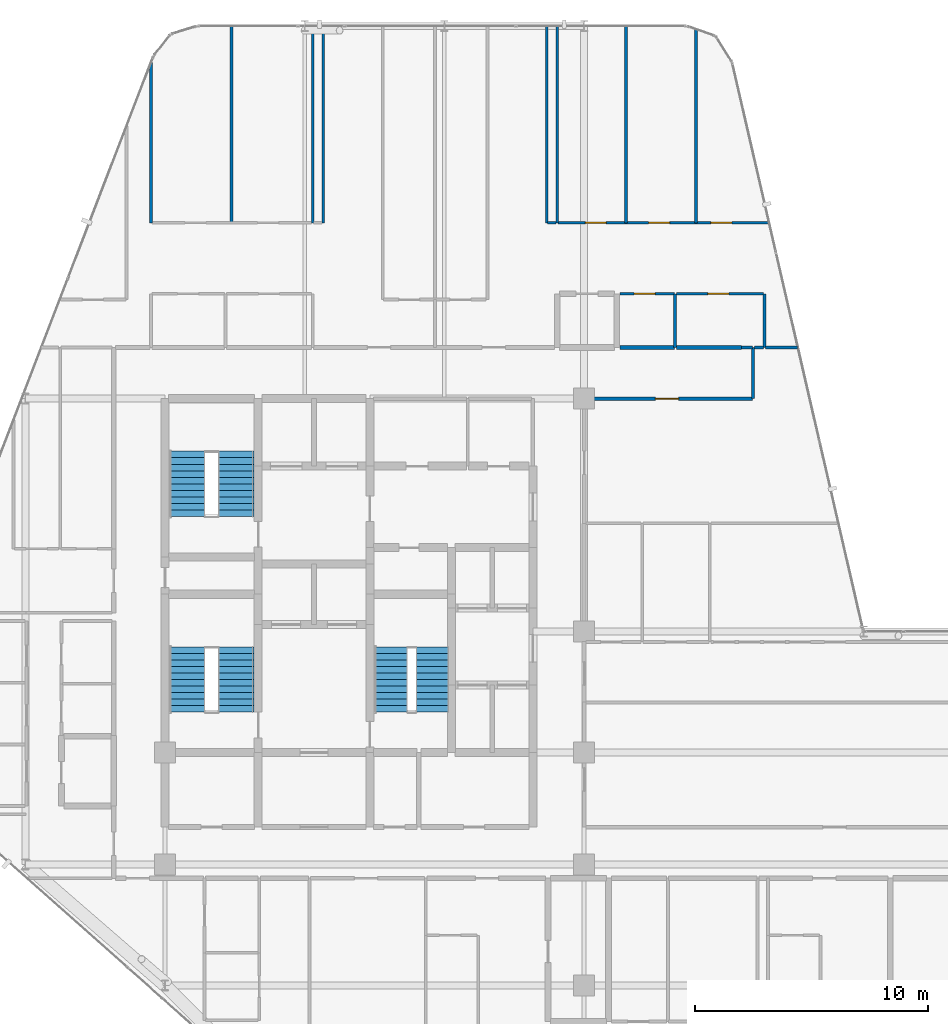
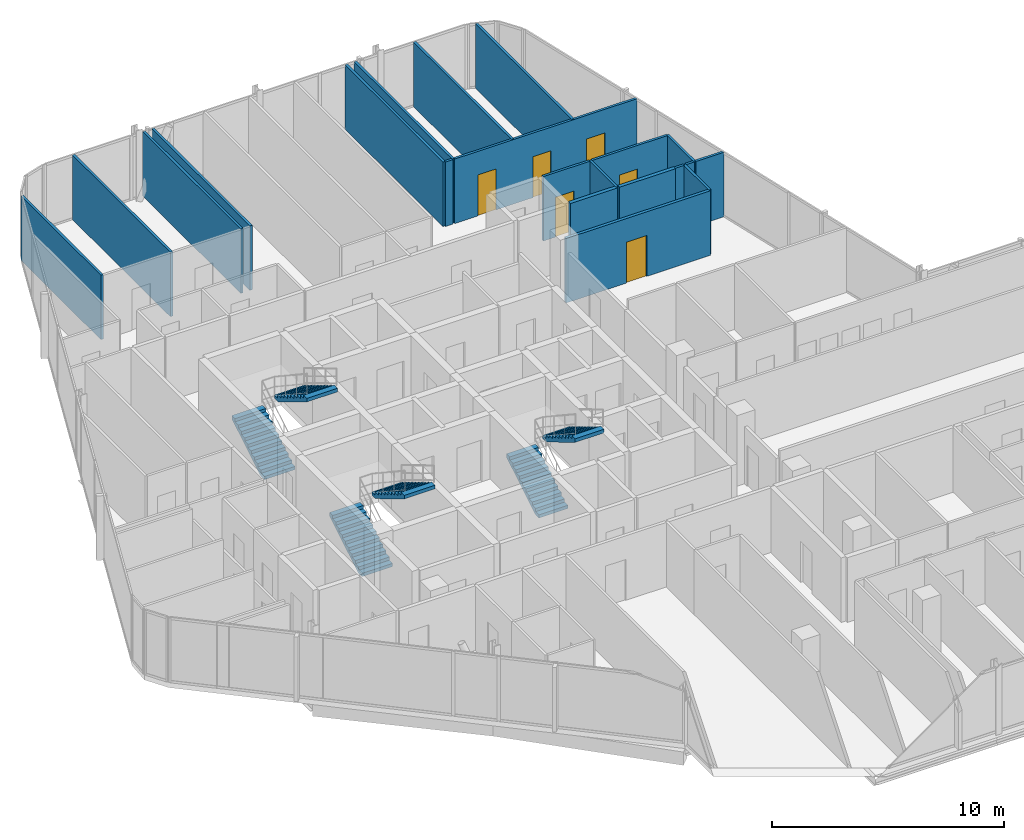
# One storey, part 28 of 29: 21 walls, 6 doors, 6 stair flights, 6 openings, 3 elements without a shape of their own.
"""IFC4 building model written with IfcOpenShell, lengths in metres."""

from ifc_helpers import new_model, si_unit, direction, frame, frame_2d, origin, place, context, subcontext, project, spatial, polyline, rectangle, outline, extrude, material, layer, layer_set, type_object, element, fill, aggregate, save


model = new_model("IFC4")

# Units and contexts
model_context = context("Model", 3, precision=1e-05, world=origin(), true_north=direction((0.0, 1.0)))
body_context = subcontext(model_context, "Body", "Model", "MODEL_VIEW")
ifc_project = project(units=[si_unit("LENGTHUNIT", "METRE"), si_unit("AREAUNIT", "SQUARE_METRE"), si_unit("VOLUMEUNIT", "CUBIC_METRE"), si_unit("PLANEANGLEUNIT", "RADIAN"), si_unit("MASSUNIT", "GRAM", prefix="KILO")], contexts=[model_context])

# Site, building, storey
site_placement = place(None, origin())
site = spatial("IfcSite", under=ifc_project, at=site_placement, CompositionType="ELEMENT")
building_placement = place(site_placement, origin())
building = spatial("IfcBuilding", under=site, at=building_placement, Name="Keshet Zoharim Tower", CompositionType="ELEMENT")
storey_placement = place(building_placement, frame((0.0, 0.0, 188.39990234375)))
storey = spatial("IfcBuildingStorey", under=building, at=storey_placement, Name="L46", CompositionType="ELEMENT", Elevation=188.39990234375)

# Wall, opening, door
ifc_material_1 = material(Name="Gypsum Plasterboard", Category="gypsum")
ifc_layer_1 = layer(ifc_material_1, 0.14990234375)
ifc_layer_set_1 = layer_set([ifc_layer_1], Name="Gypsum Plasterboard")
wall_type_1 = type_object("IfcWallType", Name="WL-CLIN-150", PredefinedType="STANDARD", material=ifc_layer_set_1)
wall_1_placement = place(storey_placement, frame((33.06005859375, 37.89990234375, 0.0), z_axis=(0.0, 0.0, 1.0), x_axis=(1.0, 0.0, 0.0)))
wall_1 = element("IfcWall", 1, at=wall_1_placement, inside=storey, type_object=wall_type_1, Name="L46 Interior Wall 179", PredefinedType="STANDARD", context=body_context, shape_type="SweptSolid", body=[
    extrude(rectangle(XDim=7.1640625, YDim=0.14990234375, at=frame_2d((3.58203125, 0.0))), origin(), (0.0, 0.0, 1.0), 3.39013671875),
])
opening_1_placement = place(wall_1_placement, frame((3.00390625, 0.0, 0.0)))
opening_1 = element("IfcOpeningElement", 2, at=opening_1_placement, cuts=wall_1, Name="Opening D-F310", PredefinedType="OPENING", context=body_context, shape_type="SweptSolid", body=[
    extrude(rectangle(XDim=1.0, YDim=2.14990234375, at=frame_2d((0.5, 1.074951171875))), frame((0.0, 0.0849609375, 0.0), z_axis=(0.0, -1.0, 0.0), x_axis=(1.0, 0.0, 0.0)), (0.0, 0.0, 1.0), 0.169921875),
])
ifc_material_2 = material(Name="Hardwood Timber", Category="wood")
door_type_1 = type_object("IfcDoorType", Name="DR-FD30-100", OperationType="NOTDEFINED", PredefinedType="DOOR", material=ifc_material_2)
door_1_placement = place(opening_1_placement, origin())
door_1 = element("IfcDoor", 3, at=door_1_placement, inside=storey, type_object=door_type_1, Name="L46 North West Residents Services Suite Door 1", OperationType="SINGLE_SWING_RIGHT", OverallHeight=2.14990234375, OverallWidth=1.0, PredefinedType="DOOR", context=body_context, shape_type="SweptSolid", body=[
    extrude(rectangle(XDim=1.0, YDim=2.14990234375, at=frame_2d((0.5, 1.074951171875))), frame((0.0, 0.02490234375, 0.0), z_axis=(0.0, -1.0, 0.0), x_axis=(1.0, 0.0, 0.0)), (0.0, 0.0, 1.0), 0.050048828125),
])
fill(opening_1, door_1)

# Walls
ifc_layer_2 = layer(ifc_material_1, 0.179931640625)
ifc_layer_set_2 = layer_set([ifc_layer_2], Name="Gypsum Plasterboard")
wall_type_2 = type_object("IfcWallType", Name="WL-CORR-180", PredefinedType="STANDARD", material=ifc_layer_set_2)
wall_2_placement = place(storey_placement, frame((34.533935546875, 40.10009765625, 0.0), z_axis=(0.0, 0.0, 1.0), x_axis=(1.0, 0.0, 0.0)))
element("IfcWall", 4, at=wall_2_placement, inside=storey, type_object=wall_type_2, Name="L46 Interior Wall 187", PredefinedType="STANDARD", context=body_context, shape_type="SweptSolid", body=[
    extrude(rectangle(XDim=2.340087890625, YDim=0.179931640625, at=frame_2d((1.169921875, 0.0))), origin(), (0.0, 0.0, 1.0), 3.39013671875),
])
wall_3_placement = place(storey_placement, frame((36.964111328125, 40.10009765625, 0.0), z_axis=(0.0, 0.0, 1.0), x_axis=(1.0, 0.0, 0.0)))
element("IfcWall", 5, at=wall_3_placement, inside=storey, type_object=wall_type_2, Name="L46 Interior Wall 188", PredefinedType="STANDARD", context=body_context, shape_type="SweptSolid", body=[
    extrude(rectangle(XDim=2.798828125, YDim=0.179931640625, at=frame_2d((1.3994140625, 0.0))), origin(), (0.0, 0.0, 1.0), 3.39013671875),
])
ifc_layer_3 = layer(ifc_material_1, 0.1201171875)
ifc_layer_set_3 = layer_set([ifc_layer_3], Name="Gypsum Plasterboard")
wall_type_3 = type_object("IfcWallType", Name="WL-PART-120", PredefinedType="PARTITIONING", material=ifc_layer_set_3)
wall_4_placement = place(storey_placement, frame((14.39990234375, 45.449951171875, 0.0), z_axis=(0.0, 0.0, 1.0), x_axis=(0.0, 1.0, 0.0)))
element("IfcWall", 6, at=wall_4_placement, inside=storey, type_object=wall_type_3, Name="L46 Interior Wall 015", PredefinedType="PARTITIONING", context=body_context, shape_type="SweptSolid", body=[
    extrude(rectangle(XDim=6.880126953125, YDim=0.1201171875, at=frame_2d((3.43994140625, 0.0))), origin(), (0.0, 0.0, 1.0), 3.39013671875),
])
for number, where, z_axis, x_axis, name in (
    (7, (17.85009765625, 45.449951171875, 0.0), (0.0, 0.0, 1.0), (0.0, 1.0, 0.0), "L46 Interior Wall 023"),
    (8, (21.35009765625, 45.449951171875, 0.0), (0.0, 0.0, 1.0), (0.0, 1.0, 0.0), "L46 Interior Wall 033"),
    (9, (21.800048828125, 45.449951171875, 0.0), (0.0, 0.0, 1.0), (0.0, 1.0, 0.0), "L46 Interior Wall 036"),
    (10, (31.39990234375, 45.449951171875, 0.0), (0.0, 0.0, 1.0), (0.0, 1.0, 0.0), "L46 Interior Wall 066"),
    (11, (31.85009765625, 45.449951171875, 0.0), (0.0, 0.0, 1.0), (0.0, 1.0, 0.0), "L46 Interior Wall 070"),
    (12, (34.800048828125, 45.449951171875, 0.0), (0.0, 0.0, 1.0), (0.0, 1.0, 0.0), "L46 Interior Wall 078"),
):
    element("IfcWall", number, at=place(storey_placement, frame(where, z_axis=z_axis, x_axis=x_axis)), inside=storey, type_object=wall_type_3, Name=name, PredefinedType="PARTITIONING", context=body_context, shape_type="SweptSolid", body=[
        extrude(rectangle(XDim=8.43994140625, YDim=0.1201171875, at=frame_2d((4.219970703125, 0.0))), origin(), (0.0, 0.0, 1.0), 3.39013671875),
    ])
wall_5_placement = place(storey_placement, frame((37.800048828125, 45.449951171875, 0.0), z_axis=(0.0, 0.0, 1.0), x_axis=(0.0, 1.0, 0.0)))
element("IfcWall", 13, at=wall_5_placement, inside=storey, type_object=wall_type_3, Name="L46 Interior Wall 083", PredefinedType="PARTITIONING", context=body_context, shape_type="SweptSolid", body=[
    extrude(rectangle(XDim=8.302978515625, YDim=0.1201171875, at=frame_2d((4.1513671875, 0.0))), origin(), (0.0, 0.0, 1.0), 3.39013671875),
])
wall_6_placement = place(storey_placement, frame((40.25, 37.89990234375, 0.0), z_axis=(0.0, 0.0, 1.0), x_axis=(0.0, 1.0, 0.0)))
element("IfcWall", 14, at=wall_6_placement, inside=storey, type_object=wall_type_3, Name="L46 Interior Wall 085", PredefinedType="PARTITIONING", context=body_context, shape_type="SweptSolid", body=[
    extrude(rectangle(XDim=2.2001953125, YDim=0.1201171875, at=frame_2d((1.10009765625, 0.0))), origin(), (0.0, 0.0, 1.0), 3.39013671875),
])
wall_7_placement = place(storey_placement, frame((40.75, 40.10009765625, 0.0), z_axis=(0.0, 0.0, 1.0), x_axis=(0.0, 1.0, 0.0)))
element("IfcWall", 15, at=wall_7_placement, inside=storey, type_object=wall_type_3, Name="L46 Interior Wall 088", PredefinedType="PARTITIONING", context=body_context, shape_type="SweptSolid", body=[
    extrude(rectangle(XDim=2.2998046875, YDim=0.1201171875, at=frame_2d((1.14990234375, 0.0))), origin(), (0.0, 0.0, 1.0), 3.39013671875),
])
wall_8_placement = place(storey_placement, frame((39.762939453125, 40.10009765625, 0.0), z_axis=(0.0, 0.0, 1.0), x_axis=(1.0, 0.0, 0.0)))
element("IfcWall", 16, at=wall_8_placement, inside=storey, type_object=wall_type_3, Name="L46 Interior Wall 189", PredefinedType="PARTITIONING", context=body_context, shape_type="SweptSolid", body=[
    extrude(rectangle(XDim=0.462158203125, YDim=0.1201171875, at=frame_2d((0.23095703125, 0.0))), origin(), (0.0, 0.0, 1.0), 3.39013671875),
])
wall_9_placement = place(storey_placement, frame((40.31494140625, 40.10009765625, 0.0), z_axis=(0.0, 0.0, 1.0), x_axis=(1.0, 0.0, 0.0)))
element("IfcWall", 17, at=wall_9_placement, inside=storey, type_object=wall_type_3, Name="L46 Interior Wall 190", PredefinedType="PARTITIONING", context=body_context, shape_type="SweptSolid", body=[
    extrude(rectangle(XDim=0.39208984375, YDim=0.1201171875, at=frame_2d((0.196044921875, 0.0))), origin(), (0.0, 0.0, 1.0), 3.39013671875),
])
wall_10_placement = place(storey_placement, frame((40.797119140625, 40.10009765625, 0.0), z_axis=(0.0, 0.0, 1.0), x_axis=(1.0, 0.0, 0.0)))
element("IfcWall", 18, at=wall_10_placement, inside=storey, type_object=wall_type_3, Name="L46 Interior Wall 191", PredefinedType="PARTITIONING", context=body_context, shape_type="SweptSolid", body=[
    extrude(rectangle(XDim=1.3779296875, YDim=0.1201171875, at=frame_2d((0.68896484375, 0.0))), origin(), (0.0, 0.0, 1.0), 3.39013671875),
])

# Wall, opening, door
wall_11_placement = place(storey_placement, frame((36.964111328125, 42.39990234375, 0.0), z_axis=(0.0, 0.0, 1.0), x_axis=(1.0, 0.0, 0.0)))
wall_11 = element("IfcWall", 19, at=wall_11_placement, inside=storey, type_object=wall_type_3, Name="L46 Interior Wall 198", PredefinedType="PARTITIONING", context=body_context, shape_type="SweptSolid", body=[
    extrude(rectangle(XDim=3.742919921875, YDim=0.1201171875, at=frame_2d((1.87158203125, 0.0))), origin(), (0.0, 0.0, 1.0), 3.39013671875),
])
opening_2_placement = place(wall_11_placement, frame((1.35009765625, 0.0, 0.0)))
opening_2 = element("IfcOpeningElement", 20, at=opening_2_placement, cuts=wall_11, Name="Opening D-IN90", PredefinedType="OPENING", context=body_context, shape_type="SweptSolid", body=[
    extrude(rectangle(XDim=0.89990234375, YDim=2.14990234375, at=frame_2d((0.449951171875, 1.074951171875))), frame((0.0, 0.070068359375, 0.0), z_axis=(0.0, -1.0, 0.0), x_axis=(1.0, 0.0, 0.0)), (0.0, 0.0, 1.0), 0.14013671875),
])
door_type_2 = type_object("IfcDoorType", Name="DR-INT-090", OperationType="NOTDEFINED", PredefinedType="DOOR", material=ifc_material_2)
door_2_placement = place(opening_2_placement, origin())
door_2 = element("IfcDoor", 21, at=door_2_placement, inside=storey, type_object=door_type_2, Name="Apartment 4605 Kitchen Door", OperationType="SINGLE_SWING_RIGHT", OverallHeight=2.14990234375, OverallWidth=0.89990234375, PredefinedType="DOOR", context=body_context, shape_type="SweptSolid", body=[
    extrude(rectangle(XDim=0.89990234375, YDim=2.14990234375, at=frame_2d((0.449951171875, 1.074951171875))), frame((0.0, 0.02490234375, 0.0), z_axis=(0.0, -1.0, 0.0), x_axis=(1.0, 0.0, 0.0)), (0.0, 0.0, 1.0), 0.050048828125),
])
fill(opening_2, door_2)

# Wall
wall_12_placement = place(storey_placement, frame((31.43505859375, 45.449951171875, 0.0), z_axis=(0.0, 0.0, 1.0), x_axis=(1.0, 0.0, 0.0)))
element("IfcWall", 22, at=wall_12_placement, inside=storey, type_object=wall_type_3, Name="L46 Interior Wall 201", PredefinedType="PARTITIONING", context=body_context, shape_type="SweptSolid", body=[
    extrude(rectangle(XDim=0.35986328125, YDim=0.1201171875, at=frame_2d((0.179931640625, 0.0))), origin(), (0.0, 0.0, 1.0), 3.39013671875),
])

# Wall, openings, doors
wall_13_placement = place(storey_placement, frame((31.885009765625, 45.449951171875, 0.0), z_axis=(0.0, 0.0, 1.0), x_axis=(1.0, 0.0, 0.0)))
wall_13 = element("IfcWall", 23, at=wall_13_placement, inside=storey, type_object=wall_type_3, Name="L46 Interior Wall 202", PredefinedType="PARTITIONING", context=body_context, shape_type="SweptSolid", body=[
    extrude(rectangle(XDim=9.054931640625, YDim=0.1201171875, at=frame_2d((4.52734375, 0.0))), origin(), (0.0, 0.0, 1.0), 3.39013671875),
])
opening_3_placement = place(wall_13_placement, frame((1.166015625, 0.0, 0.0)))
opening_3 = element("IfcOpeningElement", 24, at=opening_3_placement, cuts=wall_13, Name="Opening D-IN90", PredefinedType="OPENING", context=body_context, shape_type="SweptSolid", body=[
    extrude(rectangle(XDim=0.89990234375, YDim=2.14990234375, at=frame_2d((0.449951171875, 1.074951171875))), frame((0.0, 0.070068359375, 0.0), z_axis=(0.0, -1.0, 0.0), x_axis=(1.0, 0.0, 0.0)), (0.0, 0.0, 1.0), 0.14013671875),
])
opening_4_placement = place(wall_13_placement, frame((3.888916015625, 0.0, 0.0)))
opening_4 = element("IfcOpeningElement", 25, at=opening_4_placement, cuts=wall_13, Name="Opening D-IN90", PredefinedType="OPENING", context=body_context, shape_type="SweptSolid", body=[
    extrude(rectangle(XDim=0.89990234375, YDim=2.14990234375, at=frame_2d((0.449951171875, 1.074951171875))), frame((0.0, 0.070068359375, 0.0), z_axis=(0.0, -1.0, 0.0), x_axis=(1.0, 0.0, 0.0)), (0.0, 0.0, 1.0), 0.14013671875),
])
opening_5_placement = place(wall_13_placement, frame((6.55908203125, 0.0, 0.0)))
opening_5 = element("IfcOpeningElement", 26, at=opening_5_placement, cuts=wall_13, Name="Opening D-IN90", PredefinedType="OPENING", context=body_context, shape_type="SweptSolid", body=[
    extrude(rectangle(XDim=0.89990234375, YDim=2.14990234375, at=frame_2d((0.449951171875, 1.074951171875))), frame((0.0, 0.070068359375, 0.0), z_axis=(0.0, -1.0, 0.0), x_axis=(1.0, 0.0, 0.0)), (0.0, 0.0, 1.0), 0.14013671875),
])
door_3_placement = place(opening_3_placement, origin())
door_3 = element("IfcDoor", 27, at=door_3_placement, inside=storey, type_object=door_type_2, Name="Apartment 4605 Bedroom 1 Door", OperationType="SINGLE_SWING_LEFT", OverallHeight=2.14990234375, OverallWidth=0.89990234375, PredefinedType="DOOR", context=body_context, shape_type="SweptSolid", body=[
    extrude(rectangle(XDim=0.89990234375, YDim=2.14990234375, at=frame_2d((0.449951171875, 1.074951171875))), frame((0.0, 0.02490234375, 0.0), z_axis=(0.0, -1.0, 0.0), x_axis=(1.0, 0.0, 0.0)), (0.0, 0.0, 1.0), 0.050048828125),
])
fill(opening_3, door_3)
door_4_placement = place(opening_4_placement, origin())
door_4 = element("IfcDoor", 28, at=door_4_placement, inside=storey, type_object=door_type_2, Name="Apartment 4605 Bedroom 2 Door", OperationType="SINGLE_SWING_RIGHT", OverallHeight=2.14990234375, OverallWidth=0.89990234375, PredefinedType="DOOR", context=body_context, shape_type="SweptSolid", body=[
    extrude(rectangle(XDim=0.89990234375, YDim=2.14990234375, at=frame_2d((0.449951171875, 1.074951171875))), frame((0.0, 0.02490234375, 0.0), z_axis=(0.0, -1.0, 0.0), x_axis=(1.0, 0.0, 0.0)), (0.0, 0.0, 1.0), 0.050048828125),
])
fill(opening_4, door_4)
door_5_placement = place(opening_5_placement, origin())
door_5 = element("IfcDoor", 29, at=door_5_placement, inside=storey, type_object=door_type_2, Name="Apartment 4605 Bedroom 3 Door", OperationType="SINGLE_SWING_LEFT", OverallHeight=2.14990234375, OverallWidth=0.89990234375, PredefinedType="DOOR", context=body_context, shape_type="SweptSolid", body=[
    extrude(rectangle(XDim=0.89990234375, YDim=2.14990234375, at=frame_2d((0.449951171875, 1.074951171875))), frame((0.0, 0.02490234375, 0.0), z_axis=(0.0, -1.0, 0.0), x_axis=(1.0, 0.0, 0.0)), (0.0, 0.0, 1.0), 0.050048828125),
])
fill(opening_5, door_5)

# Wall
ifc_layer_4 = layer(ifc_material_1, 0.1201171875)
ifc_layer_set_4 = layer_set([ifc_layer_4], Name="Gypsum Plasterboard")
wall_type_4 = type_object("IfcWallType", Name="WL-WET-120", PredefinedType="PARTITIONING", material=ifc_layer_set_4)
wall_14_placement = place(storey_placement, frame((36.89990234375, 40.10009765625, 0.0), z_axis=(0.0, 0.0, 1.0), x_axis=(0.0, 1.0, 0.0)))
element("IfcWall", 30, at=wall_14_placement, inside=storey, type_object=wall_type_4, Name="L46 Interior Wall 081", PredefinedType="PARTITIONING", context=body_context, shape_type="SweptSolid", body=[
    extrude(rectangle(XDim=2.2998046875, YDim=0.1201171875, at=frame_2d((1.14990234375, 0.0))), origin(), (0.0, 0.0, 1.0), 3.39013671875),
])

# Wall, opening, door
wall_15_placement = place(storey_placement, frame((34.533935546875, 42.39990234375, 0.0), z_axis=(0.0, 0.0, 1.0), x_axis=(1.0, 0.0, 0.0)))
wall_15 = element("IfcWall", 31, at=wall_15_placement, inside=storey, type_object=wall_type_4, Name="L46 Interior Wall 197", PredefinedType="PARTITIONING", context=body_context, shape_type="SweptSolid", body=[
    extrude(rectangle(XDim=2.340087890625, YDim=0.1201171875, at=frame_2d((1.169921875, 0.0))), origin(), (0.0, 0.0, 1.0), 3.39013671875),
])
opening_6_placement = place(wall_15_placement, frame((0.611083984375, 0.0, 0.0)))
opening_6 = element("IfcOpeningElement", 32, at=opening_6_placement, cuts=wall_15, Name="Opening D-WT90", PredefinedType="OPENING", context=body_context, shape_type="SweptSolid", body=[
    extrude(rectangle(XDim=0.89990234375, YDim=2.10009765625, at=frame_2d((0.449951171875, 1.050048828125))), frame((0.0, 0.070068359375, 0.0), z_axis=(0.0, -1.0, 0.0), x_axis=(1.0, 0.0, 0.0)), (0.0, 0.0, 1.0), 0.14013671875),
])
door_type_3 = type_object("IfcDoorType", Name="DR-WET-090", OperationType="NOTDEFINED", PredefinedType="DOOR", material=ifc_material_2)
door_6_placement = place(opening_6_placement, origin())
door_6 = element("IfcDoor", 33, at=door_6_placement, inside=storey, type_object=door_type_3, Name="Apartment 4605 Bathroom Door", OperationType="SINGLE_SWING_LEFT", OverallHeight=2.10009765625, OverallWidth=0.89990234375, PredefinedType="DOOR", context=body_context, shape_type="SweptSolid", body=[
    extrude(rectangle(XDim=0.89990234375, YDim=2.10009765625, at=frame_2d((0.449951171875, 1.050048828125))), frame((0.0, 0.02490234375, 0.0), z_axis=(0.0, -1.0, 0.0), x_axis=(1.0, 0.0, 0.0)), (0.0, 0.0, 1.0), 0.050048828125),
])
fill(opening_6, door_6)

# Stair, stair flights
ifc_material_3 = material(Name="Concrete C50/60", Category="concrete")
stair_type = type_object("IfcStairType", Name="STR-EXIT-135", PredefinedType="HALF_TURN_STAIR", material=ifc_material_3)
stair_1_placement = place(storey_placement, origin())
stair_1 = element("IfcStair", 34, at=stair_1_placement, inside=storey, type_object=stair_type, Name="L46 Enclosed Exit Stair ST-01", PredefinedType="HALF_TURN_STAIR")
stair_flight_type_1 = type_object("IfcStairFlightType", Name="FLT-PRE-135", PredefinedType="STRAIGHT", material=ifc_material_3)
stair_flight_1_placement = place(storey_placement, frame((15.945068359375, 24.43994140625, 0.0), z_axis=(0.0, 0.0, 1.0), x_axis=(0.0, 1.0, 0.0)))
stair_flight_1 = element("IfcStairFlight", 35, at=stair_flight_1_placement, type_object=stair_flight_type_1, Name="ST-01 flight 1", NumberOfRisers=11, NumberOfTreads=10, PredefinedType="STRAIGHT", RiserHeight=0.168182, TreadLength=0.28, context=body_context, shape_type="SweptSolid", body=[
    extrude(outline(polyline([(0.0, 0.0), (0.0, 0.168212890625), (0.280029296875, 0.168212890625), (0.280029296875, 0.33642578125), (0.56005859375, 0.33642578125), (0.56005859375, 0.504638671875), (0.840087890625, 0.504638671875), (0.840087890625, 0.672607421875), (1.1201171875, 0.672607421875), (1.1201171875, 0.8408203125), (1.39990234375, 0.8408203125), (1.39990234375, 1.009033203125), (1.679931640625, 1.009033203125), (1.679931640625, 1.17724609375), (1.9599609375, 1.17724609375), (1.9599609375, 1.345458984375), (2.239990234375, 1.345458984375), (2.239990234375, 1.513671875), (2.52001953125, 1.513671875), (2.52001953125, 1.681884765625), (2.800048828125, 1.681884765625), (2.800048828125, 1.85009765625), (2.800048828125, 1.495361328125), (0.310546875, 0.0), (0.0, 0.0)])), frame((0.0, 0.76513671875, 0.0), z_axis=(0.0, -1.0, 0.0), x_axis=(1.0, 0.0, 0.0)), (0.0, 0.0, 1.0), 1.530029296875),
])
stair_flight_2_placement = place(storey_placement, frame((18.054931640625, 27.239990234375, 1.85009765625), z_axis=(0.0, 0.0, 1.0), x_axis=(0.0, -1.0, 0.0)))
stair_flight_2 = element("IfcStairFlight", 36, at=stair_flight_2_placement, type_object=stair_flight_type_1, Name="ST-01 flight 2", NumberOfRisers=11, NumberOfTreads=10, PredefinedType="STRAIGHT", RiserHeight=0.168182, TreadLength=0.28, context=body_context, shape_type="SweptSolid", body=[
    extrude(outline(polyline([(0.0, 0.0), (0.0, 0.168212890625), (0.280029296875, 0.168212890625), (0.280029296875, 0.33642578125), (0.56005859375, 0.33642578125), (0.56005859375, 0.504638671875), (0.840087890625, 0.504638671875), (0.840087890625, 0.672607421875), (1.1201171875, 0.672607421875), (1.1201171875, 0.8408203125), (1.39990234375, 0.8408203125), (1.39990234375, 1.009033203125), (1.679931640625, 1.009033203125), (1.679931640625, 1.17724609375), (1.9599609375, 1.17724609375), (1.9599609375, 1.345458984375), (2.239990234375, 1.345458984375), (2.239990234375, 1.513671875), (2.52001953125, 1.513671875), (2.52001953125, 1.681884765625), (2.800048828125, 1.681884765625), (2.800048828125, 1.85009765625), (2.800048828125, 1.495361328125), (0.310546875, 0.0), (0.0, 0.0)])), frame((0.0, 0.76513671875, 0.0), z_axis=(0.0, -1.0, 0.0), x_axis=(1.0, 0.0, 0.0)), (0.0, 0.0, 1.0), 1.530029296875),
])
aggregate(stair_1, [stair_flight_1, stair_flight_2])

stair_2_placement = place(storey_placement, origin())
stair_2 = element("IfcStair", 37, at=stair_2_placement, inside=storey, type_object=stair_type, Name="L46 Enclosed Exit Stair ST-02", PredefinedType="HALF_TURN_STAIR")
stair_flight_3_placement = place(storey_placement, frame((15.945068359375, 32.840087890625, 0.0), z_axis=(0.0, 0.0, 1.0), x_axis=(0.0, 1.0, 0.0)))
stair_flight_3 = element("IfcStairFlight", 38, at=stair_flight_3_placement, type_object=stair_flight_type_1, Name="ST-02 flight 1", NumberOfRisers=11, NumberOfTreads=10, PredefinedType="STRAIGHT", RiserHeight=0.168182, TreadLength=0.28, context=body_context, shape_type="SweptSolid", body=[
    extrude(outline(polyline([(0.0, 0.0), (0.0, 0.168212890625), (0.280029296875, 0.168212890625), (0.280029296875, 0.33642578125), (0.56005859375, 0.33642578125), (0.56005859375, 0.504638671875), (0.840087890625, 0.504638671875), (0.840087890625, 0.672607421875), (1.1201171875, 0.672607421875), (1.1201171875, 0.8408203125), (1.39990234375, 0.8408203125), (1.39990234375, 1.009033203125), (1.679931640625, 1.009033203125), (1.679931640625, 1.17724609375), (1.9599609375, 1.17724609375), (1.9599609375, 1.345458984375), (2.239990234375, 1.345458984375), (2.239990234375, 1.513671875), (2.52001953125, 1.513671875), (2.52001953125, 1.681884765625), (2.800048828125, 1.681884765625), (2.800048828125, 1.85009765625), (2.800048828125, 1.495361328125), (0.310546875, 0.0), (0.0, 0.0)])), frame((0.0, 0.76513671875, 0.0), z_axis=(0.0, -1.0, 0.0), x_axis=(1.0, 0.0, 0.0)), (0.0, 0.0, 1.0), 1.530029296875),
])
stair_flight_4_placement = place(storey_placement, frame((18.054931640625, 35.639892578125, 1.85009765625), z_axis=(0.0, 0.0, 1.0), x_axis=(0.0, -1.0, 0.0)))
stair_flight_4 = element("IfcStairFlight", 39, at=stair_flight_4_placement, type_object=stair_flight_type_1, Name="ST-02 flight 2", NumberOfRisers=11, NumberOfTreads=10, PredefinedType="STRAIGHT", RiserHeight=0.168182, TreadLength=0.28, context=body_context, shape_type="SweptSolid", body=[
    extrude(outline(polyline([(0.0, 0.0), (0.0, 0.168212890625), (0.280029296875, 0.168212890625), (0.280029296875, 0.33642578125), (0.56005859375, 0.33642578125), (0.56005859375, 0.504638671875), (0.840087890625, 0.504638671875), (0.840087890625, 0.672607421875), (1.1201171875, 0.672607421875), (1.1201171875, 0.8408203125), (1.39990234375, 0.8408203125), (1.39990234375, 1.009033203125), (1.679931640625, 1.009033203125), (1.679931640625, 1.17724609375), (1.9599609375, 1.17724609375), (1.9599609375, 1.345458984375), (2.239990234375, 1.345458984375), (2.239990234375, 1.513671875), (2.52001953125, 1.513671875), (2.52001953125, 1.681884765625), (2.800048828125, 1.681884765625), (2.800048828125, 1.85009765625), (2.800048828125, 1.495361328125), (0.310546875, 0.0), (0.0, 0.0)])), frame((0.0, 0.76513671875, 0.0), z_axis=(0.0, -1.0, 0.0), x_axis=(1.0, 0.0, 0.0)), (0.0, 0.0, 1.0), 1.530029296875),
])
aggregate(stair_2, [stair_flight_3, stair_flight_4])

stair_3_placement = place(storey_placement, origin())
stair_3 = element("IfcStair", 40, at=stair_3_placement, inside=storey, type_object=stair_type, Name="L46 Enclosed Exit Stair ST-03", PredefinedType="HALF_TURN_STAIR")
stair_flight_type_2 = type_object("IfcStairFlightType", Name="FLT-PRE-144", PredefinedType="STRAIGHT", material=ifc_material_3)
stair_flight_5_placement = place(storey_placement, frame((24.699951171875, 24.43994140625, 0.0), z_axis=(0.0, 0.0, 1.0), x_axis=(0.0, 1.0, 0.0)))
stair_flight_5 = element("IfcStairFlight", 41, at=stair_flight_5_placement, type_object=stair_flight_type_2, Name="ST-03 flight 1", NumberOfRisers=11, NumberOfTreads=10, PredefinedType="STRAIGHT", RiserHeight=0.168182, TreadLength=0.28, context=body_context, shape_type="SweptSolid", body=[
    extrude(outline(polyline([(0.0, 0.0), (0.0, 0.168212890625), (0.280029296875, 0.168212890625), (0.280029296875, 0.33642578125), (0.56005859375, 0.33642578125), (0.56005859375, 0.504638671875), (0.840087890625, 0.504638671875), (0.840087890625, 0.672607421875), (1.1201171875, 0.672607421875), (1.1201171875, 0.8408203125), (1.39990234375, 0.8408203125), (1.39990234375, 1.009033203125), (1.679931640625, 1.009033203125), (1.679931640625, 1.17724609375), (1.9599609375, 1.17724609375), (1.9599609375, 1.345458984375), (2.239990234375, 1.345458984375), (2.239990234375, 1.513671875), (2.52001953125, 1.513671875), (2.52001953125, 1.681884765625), (2.800048828125, 1.681884765625), (2.800048828125, 1.85009765625), (2.800048828125, 1.495361328125), (0.310546875, 0.0), (0.0, 0.0)])), frame((0.0, 0.719970703125, 0.0), z_axis=(0.0, -1.0, 0.0), x_axis=(1.0, 0.0, 0.0)), (0.0, 0.0, 1.0), 1.43994140625),
])
stair_flight_6_placement = place(storey_placement, frame((26.5, 27.239990234375, 1.85009765625), z_axis=(0.0, 0.0, 1.0), x_axis=(0.0, -1.0, 0.0)))
stair_flight_6 = element("IfcStairFlight", 42, at=stair_flight_6_placement, type_object=stair_flight_type_2, Name="ST-03 flight 2", NumberOfRisers=11, NumberOfTreads=10, PredefinedType="STRAIGHT", RiserHeight=0.168182, TreadLength=0.28, context=body_context, shape_type="SweptSolid", body=[
    extrude(outline(polyline([(0.0, 0.0), (0.0, 0.168212890625), (0.280029296875, 0.168212890625), (0.280029296875, 0.33642578125), (0.56005859375, 0.33642578125), (0.56005859375, 0.504638671875), (0.840087890625, 0.504638671875), (0.840087890625, 0.672607421875), (1.1201171875, 0.672607421875), (1.1201171875, 0.8408203125), (1.39990234375, 0.8408203125), (1.39990234375, 1.009033203125), (1.679931640625, 1.009033203125), (1.679931640625, 1.17724609375), (1.9599609375, 1.17724609375), (1.9599609375, 1.345458984375), (2.239990234375, 1.345458984375), (2.239990234375, 1.513671875), (2.52001953125, 1.513671875), (2.52001953125, 1.681884765625), (2.800048828125, 1.681884765625), (2.800048828125, 1.85009765625), (2.800048828125, 1.495361328125), (0.310546875, 0.0), (0.0, 0.0)])), frame((0.0, 0.719970703125, 0.0), z_axis=(0.0, -1.0, 0.0), x_axis=(1.0, 0.0, 0.0)), (0.0, 0.0, 1.0), 1.43994140625),
])
aggregate(stair_3, [stair_flight_5, stair_flight_6])

save(model, "model.ifc")
